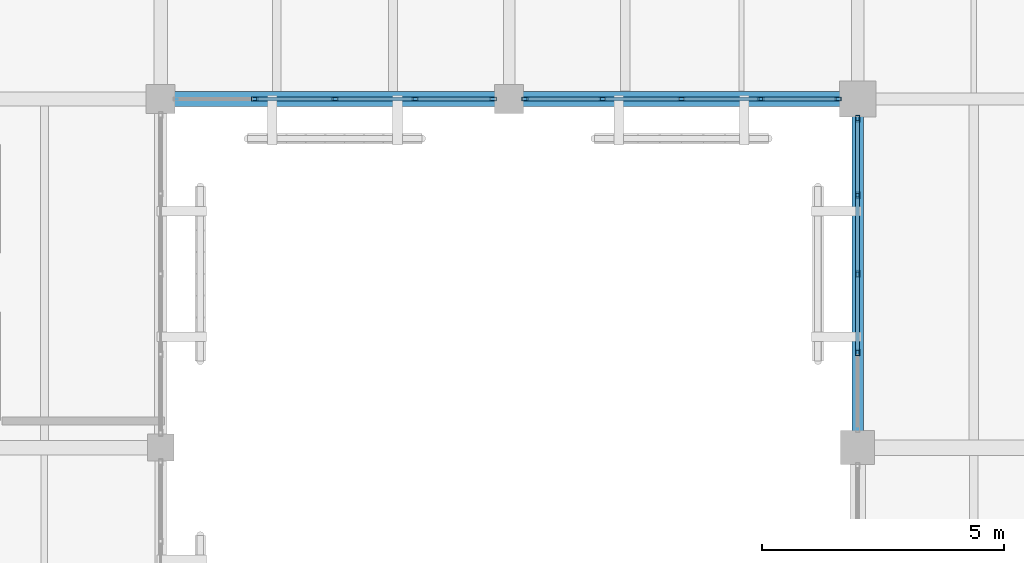
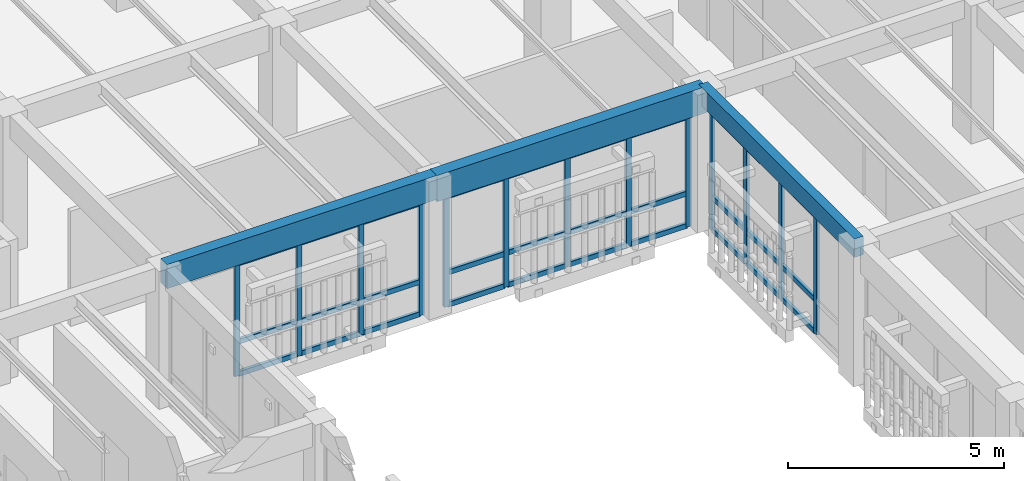
# One storey, part 61 of 170: 43 members, 3 beams, 3 elements without a shape of their own.
"""IFC4 building model written with IfcOpenShell, lengths in metres."""

import ifcopenshell
import ifcopenshell.guid

model = None  # the IFC model being written
_history = None  # IfcOwnerHistory: only IFC2X3 demands one
_inside = {}  # id of a spatial element -> (the spatial element, [elements in it])
_under = {}  # id of a project, library or spatial element -> (it, [spatial elements below it])
_declared = {}  # id of a project -> (the project, [libraries it declares])
_typed = {}  # id of a type object -> (the type object, [elements of that type])
_made_of = {}  # id of a material, layer set ... -> (it, [elements and type objects made of it])


def new_model(schema):
    """Start an empty IFC model of exactly this schema.

    Asked for "IFC4X3", IfcOpenShell would pick the latest addendum, in which some entities
    have other attributes; the version numbers below select the first issue.
    IFC2X3 requires an IfcOwnerHistory on every rooted entity: one is made here for all.
    """
    global model, _history
    if schema == "IFC4X3":
        model = ifcopenshell.file(schema_version=(4, 3, 0, 0))
    else:
        model = ifcopenshell.file(schema=schema)
    _inside.clear()
    _under.clear()
    _declared.clear()
    _typed.clear()
    _made_of.clear()
    _history = None
    if model.schema == "IFC2X3":
        org = make("IfcOrganization", Name="unknown")
        user = make(
            "IfcPersonAndOrganization",
            ThePerson=make("IfcPerson", FamilyName="unknown"),
            TheOrganization=org,
        )
        app = make(
            "IfcApplication",
            ApplicationDeveloper=org,
            Version="unknown",
            ApplicationFullName="unknown",
            ApplicationIdentifier="unknown",
        )
        _history = make(
            "IfcOwnerHistory",
            OwningUser=user,
            OwningApplication=app,
            ChangeAction="ADDED",
            CreationDate=0,
        )
    return model


def make(cls, **values):
    """One entity of the class cls with the attributes given. An attribute that is None is left unset."""
    return model.create_entity(
        cls, **{name: value for name, value in values.items() if value is not None}
    )


def rooted(cls, **values):
    """An entity with a GlobalId (a new one), such as an element, a storey or a relation."""
    return make(cls, GlobalId=ifcopenshell.guid.new(), OwnerHistory=_history, **values)


def si_unit(unit_type, name, prefix=None):
    """IfcSIUnit, for example si_unit("LENGTHUNIT", "METRE", prefix="MILLI")."""
    return make("IfcSIUnit", UnitType=unit_type, Prefix=prefix, Name=name)


def assignment(units):
    """IfcUnitAssignment: the units of a project."""
    return None if units is None else make("IfcUnitAssignment", Units=units)


def point(xyz):
    """IfcCartesianPoint."""
    return None if xyz is None else make("IfcCartesianPoint", Coordinates=xyz)


def direction(xyz):
    """IfcDirection."""
    return None if xyz is None else make("IfcDirection", DirectionRatios=xyz)


def frame(location, z_axis=None, x_axis=None):
    """IfcAxis2Placement3D, a coordinate frame: its origin and axes. An axis left out is left unset."""
    return make(
        "IfcAxis2Placement3D",
        Location=point(location),
        Axis=direction(z_axis),
        RefDirection=direction(x_axis),
    )


def frame_2d(location, x_axis=None):
    """IfcAxis2Placement2D, a coordinate frame in the plane: its origin and x axis."""
    return make(
        "IfcAxis2Placement2D", Location=point(location), RefDirection=direction(x_axis)
    )


def origin():
    """The frame at (0, 0, 0) with its axes left unset."""
    return frame((0.0, 0.0, 0.0))


def origin_2d():
    """The frame at (0, 0) in the plane with its x axis left unset."""
    return frame_2d((0.0, 0.0))


def place(relative_to, where):
    """IfcLocalPlacement: puts the frame where relative to a parent placement (None: the world)."""
    return make(
        "IfcLocalPlacement", PlacementRelTo=relative_to, RelativePlacement=where
    )


def context(
    kind, dimensions, precision=None, world=None, true_north=None, identifier=None
):
    """IfcGeometricRepresentationContext, for example the 3D "Model" context."""
    return make(
        "IfcGeometricRepresentationContext",
        ContextIdentifier=identifier,
        ContextType=kind,
        CoordinateSpaceDimension=dimensions,
        Precision=precision,
        WorldCoordinateSystem=world,
        TrueNorth=true_north,
    )


def subcontext(parent, identifier, kind, view, scale=None):
    """IfcGeometricRepresentationSubContext, for example "Body" below "Model"."""
    return make(
        "IfcGeometricRepresentationSubContext",
        ContextIdentifier=identifier,
        ContextType=kind,
        ParentContext=parent,
        TargetScale=scale,
        TargetView=view,
    )


def project(units=None, contexts=None):
    """IfcProject with its units and contexts."""
    return rooted(
        "IfcProject",
        Name="project",
        RepresentationContexts=contexts,
        UnitsInContext=assignment(units),
    )


def spatial(cls, under=None, at=None, **own):
    """A site, building, storey or space (cls), placed at a placement, below another one or the project."""
    s = rooted(cls, ObjectPlacement=at, **own)
    if under is not None:
        _under.setdefault(under.id(), (under, []))[1].append(s)
    return s


def profile(cls, at=None, kind="AREA", **sizes):
    """A parametric profile (cls). Its sizes go by their IFC names, for example OverallWidth=200.0."""
    return make(cls, ProfileType=kind, Position=at, **sizes)


def rectangle(**sizes):
    """IfcRectangleProfileDef."""
    return profile("IfcRectangleProfileDef", **sizes)


def hollow_rectangle(**sizes):
    """IfcRectangleHollowProfileDef."""
    return profile("IfcRectangleHollowProfileDef", **sizes)


def extrude(swept, where, along, depth):
    """IfcExtrudedAreaSolid: the profile swept, set in the frame where, extruded along a direction by depth."""
    return make(
        "IfcExtrudedAreaSolid",
        SweptArea=swept,
        Position=where,
        ExtrudedDirection=direction(along),
        Depth=depth,
    )


def shape(context_of_items, identifier, shape_type, items):
    """IfcShapeRepresentation: the items that make up one representation, for example the "Body"."""
    return make(
        "IfcShapeRepresentation",
        ContextOfItems=context_of_items,
        RepresentationIdentifier=identifier,
        RepresentationType=shape_type,
        Items=items,
    )


def material(Name=None, Category=None):
    """IfcMaterial."""
    return make("IfcMaterial", Name=Name, Category=Category)


def layer(
    of_material, thickness, ventilated=None, Name=None, Category=None, Priority=None
):
    """IfcMaterialLayer: one layer of a wall or slab, of a material (None: an air gap)."""
    return make(
        "IfcMaterialLayer",
        Material=of_material,
        LayerThickness=thickness,
        IsVentilated=ventilated,
        Name=Name,
        Category=Category,
        Priority=Priority,
    )


def layer_set(layers, Name=None):
    """IfcMaterialLayerSet."""
    return make("IfcMaterialLayerSet", MaterialLayers=layers, LayerSetName=Name)


def material_profile(
    of_material, cross_section, Name=None, Category=None, Priority=None
):
    """IfcMaterialProfile: a cross section and its material."""
    return make(
        "IfcMaterialProfile",
        Name=Name,
        Material=of_material,
        Profile=cross_section,
        Priority=Priority,
        Category=Category,
    )


def profile_set(profiles, Name=None, composite=None):
    """IfcMaterialProfileSet."""
    return make(
        "IfcMaterialProfileSet",
        Name=Name,
        MaterialProfiles=profiles,
        CompositeProfile=composite,
    )


def made_of(thing, what):
    """Note that an element or type object is made of a material, layer set ...; save() writes the relation."""
    if what is not None:
        _made_of.setdefault(what.id(), (what, []))[1].append(thing)
    return thing


def type_object(cls, material=None, **own):
    """A type object (cls), such as IfcWallType, which elements share."""
    return made_of(rooted(cls, **own), material)


def element(
    cls,
    number,
    at=None,
    inside=None,
    cuts=None,
    type_object=None,
    material=None,
    context=None,
    identifier="Body",
    shape_type=None,
    held_by="IfcProductDefinitionShape",
    body=None,
    shapes=None,
    **own,
):
    """One element of the class cls, such as IfcWall. Its Tag is "e" and its number.

    at: its placement. inside: the storey or other place that contains it. cuts: it is an
    opening in that element (IfcRelVoidsElement). A single representation is given by context,
    identifier, shape_type and body (its items); several are given by shapes. held_by: the class
    of the entity that holds the representations. save() writes the other relations.
    """
    e = rooted(cls, Tag="e%d" % number, ObjectPlacement=at, **own)
    if body is not None:
        shapes = [shape(context, identifier, shape_type, body)]
    if shapes is not None:
        e.Representation = make(held_by, Representations=shapes)
    if inside is not None:
        _inside.setdefault(inside.id(), (inside, []))[1].append(e)
    if cuts is not None:
        rooted(
            "IfcRelVoidsElement", RelatingBuildingElement=cuts, RelatedOpeningElement=e
        )
    if type_object is not None:
        _typed.setdefault(type_object.id(), (type_object, []))[1].append(e)
    return made_of(e, material)


def aggregate(whole, parts):
    """IfcRelAggregates: a whole, such as a stair, and the parts it consists of."""
    return rooted("IfcRelAggregates", RelatingObject=whole, RelatedObjects=parts)


def save(model, path):
    """Write the relations noted so far, then the file.

    IfcRelAggregates (storeys below a building ...), IfcRelContainedInSpatialStructure (elements
    in a storey), IfcRelDefinesByType, IfcRelAssociatesMaterial and IfcRelDeclares: one each for
    every whole, place, type object, material and project.
    """
    for whole, parts in _under.values():
        aggregate(whole, parts)
    for where, things in _inside.values():
        rooted(
            "IfcRelContainedInSpatialStructure",
            RelatedElements=things,
            RelatingStructure=where,
        )
    for kind, things in _typed.values():
        rooted("IfcRelDefinesByType", RelatedObjects=things, RelatingType=kind)
    for what, things in _made_of.values():
        rooted("IfcRelAssociatesMaterial", RelatedObjects=things, RelatingMaterial=what)
    for by, libraries in _declared.values():
        rooted("IfcRelDeclares", RelatingContext=by, RelatedDefinitions=libraries)
    model.write(path)


model = new_model("IFC4")

# Units and contexts
model_context = context("Model", 3, precision=1e-05, world=origin(), true_north=direction((0.0, 1.0)))
body_context = subcontext(model_context, "Body", "Model", "MODEL_VIEW")
ifc_project = project(units=[si_unit("LENGTHUNIT", "METRE"), si_unit("AREAUNIT", "SQUARE_METRE"), si_unit("VOLUMEUNIT", "CUBIC_METRE"), si_unit("PLANEANGLEUNIT", "RADIAN"), si_unit("MASSUNIT", "GRAM", prefix="KILO")], contexts=[model_context])

# Site, building, storey
site_placement = place(None, origin())
site = spatial("IfcSite", under=ifc_project, at=site_placement, CompositionType="ELEMENT")
building_placement = place(site_placement, origin())
building = spatial("IfcBuilding", under=site, at=building_placement, Name="Mazaris Harbour Polytechnic", CompositionType="ELEMENT")
storey_placement = place(building_placement, frame((0.0, 0.0, 5.39990234375)))
storey = spatial("IfcBuildingStorey", under=building, at=storey_placement, Name="L01", CompositionType="ELEMENT", Elevation=5.39990234375)

# Curtain wall, members
ifc_material_1 = material(Name="Anodised Bronze Aluminium and Low-E Glass", Category="aluminium")
ifc_layer = layer(ifc_material_1, 0.159912109375, Name="Anodised Bronze Aluminium and Low-E Glass")
ifc_layer_set = layer_set([ifc_layer], Name="Anodised Bronze Aluminium and Low-E Glass")
curtain_wall_type = type_object("IfcCurtainWallType", Name="Cloister Court Curtain Wall", PredefinedType="NOTDEFINED", material=ifc_layer_set)
curtain_wall_1_placement = place(storey_placement, origin())
curtain_wall_1 = element("IfcCurtainWall", 1, at=curtain_wall_1_placement, inside=storey, type_object=curtain_wall_type, Name="V4 L01 Curtain Wall 118", PredefinedType="NOTDEFINED")
ifc_material_2 = material(Name="Anodised Bronze Steel S355", Category="steel")
ifc_material_profile_1 = material_profile(ifc_material_2, hollow_rectangle(XDim=0.080078125, YDim=0.139892578125, WallThickness=0.00634765625, at=origin_2d()), Name="RHS 80x140x6.3")
ifc_profile_set_1 = profile_set([ifc_material_profile_1], Name="Anodised Bronze Steel S355")
member_type_1 = type_object("IfcMemberType", Name="Curtain Mullion RHS80x140", PredefinedType="MULLION", material=ifc_profile_set_1)
member_1_placement = place(storey_placement, frame((21.26806640625, 68.39990234375, 0.0), z_axis=(0.0, 0.0, 1.0), x_axis=(0.0, -1.0, 0.0)))
member_1 = element("IfcMember", 2, at=member_1_placement, type_object=member_type_1, Name="CW-02 mullion 1", PredefinedType="MULLION", context=body_context, shape_type="SweptSolid", body=[
    extrude(hollow_rectangle(XDim=0.080078125, YDim=0.139892578125, WallThickness=0.00634765625, at=origin_2d()), origin(), (0.0, 0.0, 1.0), 3.2001953125),
])
member_2_placement = place(storey_placement, frame((19.654052734375, 68.39990234375, 0.0), z_axis=(0.0, 0.0, 1.0), x_axis=(0.0, -1.0, 0.0)))
member_2 = element("IfcMember", 3, at=member_2_placement, type_object=member_type_1, Name="CW-02 mullion 2", PredefinedType="MULLION", context=body_context, shape_type="SweptSolid", body=[
    extrude(hollow_rectangle(XDim=0.080078125, YDim=0.139892578125, WallThickness=0.00634765625, at=origin_2d()), origin(), (0.0, 0.0, 1.0), 3.2001953125),
])
member_3_placement = place(storey_placement, frame((18.0, 68.39990234375, 0.0), z_axis=(0.0, 0.0, 1.0), x_axis=(0.0, -1.0, 0.0)))
member_3 = element("IfcMember", 4, at=member_3_placement, type_object=member_type_1, Name="CW-02 mullion 3", PredefinedType="MULLION", context=body_context, shape_type="SweptSolid", body=[
    extrude(hollow_rectangle(XDim=0.080078125, YDim=0.139892578125, WallThickness=0.00634765625, at=origin_2d()), origin(), (0.0, 0.0, 1.0), 3.2001953125),
])
member_4_placement = place(storey_placement, frame((16.345947265625, 68.39990234375, 0.0), z_axis=(0.0, 0.0, 1.0), x_axis=(0.0, -1.0, 0.0)))
member_4 = element("IfcMember", 5, at=member_4_placement, type_object=member_type_1, Name="CW-02 mullion 4", PredefinedType="MULLION", context=body_context, shape_type="SweptSolid", body=[
    extrude(hollow_rectangle(XDim=0.080078125, YDim=0.139892578125, WallThickness=0.00634765625, at=origin_2d()), origin(), (0.0, 0.0, 1.0), 3.2001953125),
])

curtain_wall_2_placement = place(storey_placement, origin())
curtain_wall_2 = element("IfcCurtainWall", 6, at=curtain_wall_2_placement, inside=storey, type_object=curtain_wall_type, Name="V4 L01 Curtain Wall 119", PredefinedType="NOTDEFINED")
member_5_placement = place(storey_placement, frame((28.39306640625, 68.39990234375, 0.0), z_axis=(0.0, 0.0, 1.0), x_axis=(0.0, -1.0, 0.0)))
member_5 = element("IfcMember", 7, at=member_5_placement, type_object=member_type_1, Name="CW-02 mullion 1", PredefinedType="MULLION", context=body_context, shape_type="SweptSolid", body=[
    extrude(hollow_rectangle(XDim=0.080078125, YDim=0.139892578125, WallThickness=0.00634765625, at=origin_2d()), origin(), (0.0, 0.0, 1.0), 3.14013671875),
])
member_6_placement = place(storey_placement, frame((26.7978515625, 68.39990234375, 0.0), z_axis=(0.0, 0.0, 1.0), x_axis=(0.0, -1.0, 0.0)))
member_6 = element("IfcMember", 8, at=member_6_placement, type_object=member_type_1, Name="CW-02 mullion 2", PredefinedType="MULLION", context=body_context, shape_type="SweptSolid", body=[
    extrude(hollow_rectangle(XDim=0.080078125, YDim=0.139892578125, WallThickness=0.00634765625, at=origin_2d()), origin(), (0.0, 0.0, 1.0), 3.14013671875),
])
member_7_placement = place(storey_placement, frame((25.16259765625, 68.39990234375, 0.0), z_axis=(0.0, 0.0, 1.0), x_axis=(0.0, -1.0, 0.0)))
member_7 = element("IfcMember", 9, at=member_7_placement, type_object=member_type_1, Name="CW-02 mullion 3", PredefinedType="MULLION", context=body_context, shape_type="SweptSolid", body=[
    extrude(hollow_rectangle(XDim=0.080078125, YDim=0.139892578125, WallThickness=0.00634765625, at=origin_2d()), origin(), (0.0, 0.0, 1.0), 3.14013671875),
])
member_8_placement = place(storey_placement, frame((23.52734375, 68.39990234375, 0.0), z_axis=(0.0, 0.0, 1.0), x_axis=(0.0, -1.0, 0.0)))
member_8 = element("IfcMember", 10, at=member_8_placement, type_object=member_type_1, Name="CW-02 mullion 4", PredefinedType="MULLION", context=body_context, shape_type="SweptSolid", body=[
    extrude(hollow_rectangle(XDim=0.080078125, YDim=0.139892578125, WallThickness=0.00634765625, at=origin_2d()), origin(), (0.0, 0.0, 1.0), 3.14013671875),
])
member_9_placement = place(storey_placement, frame((21.931884765625, 68.39990234375, 0.0), z_axis=(0.0, 0.0, 1.0), x_axis=(0.0, -1.0, 0.0)))
member_9 = element("IfcMember", 11, at=member_9_placement, type_object=member_type_1, Name="CW-02 mullion 5", PredefinedType="MULLION", context=body_context, shape_type="SweptSolid", body=[
    extrude(hollow_rectangle(XDim=0.080078125, YDim=0.139892578125, WallThickness=0.00634765625, at=origin_2d()), origin(), (0.0, 0.0, 1.0), 3.14013671875),
])

curtain_wall_3_placement = place(storey_placement, origin())
curtain_wall_3 = element("IfcCurtainWall", 12, at=curtain_wall_3_placement, inside=storey, type_object=curtain_wall_type, Name="V4 L01 Curtain Wall 127", PredefinedType="NOTDEFINED")
member_10_placement = place(storey_placement, frame((28.800048828125, 67.992919921875, 0.0), z_axis=(0.0, 0.0, 1.0), x_axis=(1.0, 0.0, 0.0)))
member_10 = element("IfcMember", 13, at=member_10_placement, type_object=member_type_1, Name="CW-02 mullion 1", PredefinedType="MULLION", context=body_context, shape_type="SweptSolid", body=[
    extrude(hollow_rectangle(XDim=0.080078125, YDim=0.139892578125, WallThickness=0.00634765625, at=origin_2d()), origin(), (0.0, 0.0, 1.0), 3.360107421875),
])
member_11_placement = place(storey_placement, frame((28.800048828125, 66.41015625, 0.0), z_axis=(0.0, 0.0, 1.0), x_axis=(1.0, 0.0, 0.0)))
member_11 = element("IfcMember", 14, at=member_11_placement, type_object=member_type_1, Name="CW-02 mullion 2", PredefinedType="MULLION", context=body_context, shape_type="SweptSolid", body=[
    extrude(hollow_rectangle(XDim=0.080078125, YDim=0.139892578125, WallThickness=0.00634765625, at=origin_2d()), origin(), (0.0, 0.0, 1.0), 3.360107421875),
])
member_12_placement = place(storey_placement, frame((28.800048828125, 64.78759765625, 0.0), z_axis=(0.0, 0.0, 1.0), x_axis=(1.0, 0.0, 0.0)))
member_12 = element("IfcMember", 15, at=member_12_placement, type_object=member_type_1, Name="CW-02 mullion 3", PredefinedType="MULLION", context=body_context, shape_type="SweptSolid", body=[
    extrude(hollow_rectangle(XDim=0.080078125, YDim=0.139892578125, WallThickness=0.00634765625, at=origin_2d()), origin(), (0.0, 0.0, 1.0), 3.360107421875),
])
member_13_placement = place(storey_placement, frame((28.800048828125, 63.164794921875, 0.0), z_axis=(0.0, 0.0, 1.0), x_axis=(1.0, 0.0, 0.0)))
member_13 = element("IfcMember", 16, at=member_13_placement, type_object=member_type_1, Name="CW-02 mullion 4", PredefinedType="MULLION", context=body_context, shape_type="SweptSolid", body=[
    extrude(hollow_rectangle(XDim=0.080078125, YDim=0.139892578125, WallThickness=0.00634765625, at=origin_2d()), origin(), (0.0, 0.0, 1.0), 3.360107421875),
])

# Member
ifc_material_3 = material(Name="Anodised Bronze Steel S355", Category="steel")
ifc_material_profile_2 = material_profile(ifc_material_3, hollow_rectangle(XDim=0.080078125, YDim=0.139892578125, WallThickness=0.00634765625, at=origin_2d()), Name="RHS 80x140x6.3")
ifc_profile_set_2 = profile_set([ifc_material_profile_2], Name="Anodised Bronze Steel S355")
member_type_2 = type_object("IfcMemberType", Name="Curtain Transom RHS80x140", PredefinedType="USERDEFINED", material=ifc_profile_set_2)
member_14_placement = place(storey_placement, frame((21.22802734375, 68.39990234375, 0.0400390625), z_axis=(-1.0, 0.0, 0.0), x_axis=(0.0, -1.0, 0.0)))
member_14 = element("IfcMember", 17, at=member_14_placement, type_object=member_type_2, Name="CW-02 transom 1.1", ObjectType="TRANSOM", PredefinedType="USERDEFINED", context=body_context, shape_type="SweptSolid", body=[
    extrude(hollow_rectangle(XDim=0.080078125, YDim=0.139892578125, WallThickness=0.00634765625, at=origin_2d()), origin(), (0.0, 0.0, 1.0), 1.533935546875),
])

member_15_placement = place(storey_placement, frame((21.22802734375, 68.39990234375, 0.9501953125), z_axis=(-1.0, 0.0, 0.0), x_axis=(0.0, -1.0, 0.0)))
member_15 = element("IfcMember", 18, at=member_15_placement, type_object=member_type_2, Name="CW-02 transom 1.2", ObjectType="TRANSOM", PredefinedType="USERDEFINED", context=body_context, shape_type="SweptSolid", body=[
    extrude(hollow_rectangle(XDim=0.080078125, YDim=0.139892578125, WallThickness=0.00634765625, at=origin_2d()), origin(), (0.0, 0.0, 1.0), 1.533935546875),
])

member_16_placement = place(storey_placement, frame((21.22802734375, 68.39990234375, 3.16015625), z_axis=(-1.0, 0.0, 0.0), x_axis=(0.0, -1.0, 0.0)))
member_16 = element("IfcMember", 19, at=member_16_placement, type_object=member_type_2, Name="CW-02 transom 1.3", ObjectType="TRANSOM", PredefinedType="USERDEFINED", context=body_context, shape_type="SweptSolid", body=[
    extrude(hollow_rectangle(XDim=0.080078125, YDim=0.139892578125, WallThickness=0.00634765625, at=origin_2d()), origin(), (0.0, 0.0, 1.0), 1.533935546875),
])

member_17_placement = place(storey_placement, frame((19.614013671875, 68.39990234375, 0.0400390625), z_axis=(-1.0, 0.0, 0.0), x_axis=(0.0, -1.0, 0.0)))
member_17 = element("IfcMember", 20, at=member_17_placement, type_object=member_type_2, Name="CW-02 transom 2.1", ObjectType="TRANSOM", PredefinedType="USERDEFINED", context=body_context, shape_type="SweptSolid", body=[
    extrude(hollow_rectangle(XDim=0.080078125, YDim=0.139892578125, WallThickness=0.00634765625, at=origin_2d()), origin(), (0.0, 0.0, 1.0), 1.573974609375),
])

member_18_placement = place(storey_placement, frame((19.614013671875, 68.39990234375, 0.9501953125), z_axis=(-1.0, 0.0, 0.0), x_axis=(0.0, -1.0, 0.0)))
member_18 = element("IfcMember", 21, at=member_18_placement, type_object=member_type_2, Name="CW-02 transom 2.2", ObjectType="TRANSOM", PredefinedType="USERDEFINED", context=body_context, shape_type="SweptSolid", body=[
    extrude(hollow_rectangle(XDim=0.080078125, YDim=0.139892578125, WallThickness=0.00634765625, at=origin_2d()), origin(), (0.0, 0.0, 1.0), 1.573974609375),
])

member_19_placement = place(storey_placement, frame((19.614013671875, 68.39990234375, 3.16015625), z_axis=(-1.0, 0.0, 0.0), x_axis=(0.0, -1.0, 0.0)))
member_19 = element("IfcMember", 22, at=member_19_placement, type_object=member_type_2, Name="CW-02 transom 2.3", ObjectType="TRANSOM", PredefinedType="USERDEFINED", context=body_context, shape_type="SweptSolid", body=[
    extrude(hollow_rectangle(XDim=0.080078125, YDim=0.139892578125, WallThickness=0.00634765625, at=origin_2d()), origin(), (0.0, 0.0, 1.0), 1.573974609375),
])

member_20_placement = place(storey_placement, frame((17.9599609375, 68.39990234375, 0.0400390625), z_axis=(-1.0, 0.0, 0.0), x_axis=(0.0, -1.0, 0.0)))
member_20 = element("IfcMember", 23, at=member_20_placement, type_object=member_type_2, Name="CW-02 transom 3.1", ObjectType="TRANSOM", PredefinedType="USERDEFINED", context=body_context, shape_type="SweptSolid", body=[
    extrude(hollow_rectangle(XDim=0.080078125, YDim=0.139892578125, WallThickness=0.00634765625, at=origin_2d()), origin(), (0.0, 0.0, 1.0), 1.573974609375),
])

member_21_placement = place(storey_placement, frame((17.9599609375, 68.39990234375, 0.9501953125), z_axis=(-1.0, 0.0, 0.0), x_axis=(0.0, -1.0, 0.0)))
member_21 = element("IfcMember", 24, at=member_21_placement, type_object=member_type_2, Name="CW-02 transom 3.2", ObjectType="TRANSOM", PredefinedType="USERDEFINED", context=body_context, shape_type="SweptSolid", body=[
    extrude(hollow_rectangle(XDim=0.080078125, YDim=0.139892578125, WallThickness=0.00634765625, at=origin_2d()), origin(), (0.0, 0.0, 1.0), 1.573974609375),
])

member_22_placement = place(storey_placement, frame((17.9599609375, 68.39990234375, 3.16015625), z_axis=(-1.0, 0.0, 0.0), x_axis=(0.0, -1.0, 0.0)))
member_22 = element("IfcMember", 25, at=member_22_placement, type_object=member_type_2, Name="CW-02 transom 3.3", ObjectType="TRANSOM", PredefinedType="USERDEFINED", context=body_context, shape_type="SweptSolid", body=[
    extrude(hollow_rectangle(XDim=0.080078125, YDim=0.139892578125, WallThickness=0.00634765625, at=origin_2d()), origin(), (0.0, 0.0, 1.0), 1.573974609375),
])

aggregate(curtain_wall_1, [member_1, member_2, member_3, member_4, member_14, member_15, member_16, member_17, member_18, member_19, member_20, member_21, member_22])

member_23_placement = place(storey_placement, frame((28.35302734375, 68.39990234375, 0.0400390625), z_axis=(-1.0, 0.0, 0.0), x_axis=(0.0, -1.0, 0.0)))
member_23 = element("IfcMember", 26, at=member_23_placement, type_object=member_type_2, Name="CW-02 transom 1.1", ObjectType="TRANSOM", PredefinedType="USERDEFINED", context=body_context, shape_type="SweptSolid", body=[
    extrude(hollow_rectangle(XDim=0.080078125, YDim=0.139892578125, WallThickness=0.00634765625, at=origin_2d()), origin(), (0.0, 0.0, 1.0), 1.515380859375),
])

member_24_placement = place(storey_placement, frame((28.35302734375, 68.39990234375, 0.9501953125), z_axis=(-1.0, 0.0, 0.0), x_axis=(0.0, -1.0, 0.0)))
member_24 = element("IfcMember", 27, at=member_24_placement, type_object=member_type_2, Name="CW-02 transom 1.2", ObjectType="TRANSOM", PredefinedType="USERDEFINED", context=body_context, shape_type="SweptSolid", body=[
    extrude(hollow_rectangle(XDim=0.080078125, YDim=0.139892578125, WallThickness=0.00634765625, at=origin_2d()), origin(), (0.0, 0.0, 1.0), 1.515380859375),
])

member_25_placement = place(storey_placement, frame((28.35302734375, 68.39990234375, 3.10009765625), z_axis=(-1.0, 0.0, 0.0), x_axis=(0.0, -1.0, 0.0)))
member_25 = element("IfcMember", 28, at=member_25_placement, type_object=member_type_2, Name="CW-02 transom 1.3", ObjectType="TRANSOM", PredefinedType="USERDEFINED", context=body_context, shape_type="SweptSolid", body=[
    extrude(hollow_rectangle(XDim=0.080078125, YDim=0.139892578125, WallThickness=0.00634765625, at=origin_2d()), origin(), (0.0, 0.0, 1.0), 1.515380859375),
])

member_26_placement = place(storey_placement, frame((26.7578125, 68.39990234375, 0.0400390625), z_axis=(-1.0, 0.0, 0.0), x_axis=(0.0, -1.0, 0.0)))
member_26 = element("IfcMember", 29, at=member_26_placement, type_object=member_type_2, Name="CW-02 transom 2.1", ObjectType="TRANSOM", PredefinedType="USERDEFINED", context=body_context, shape_type="SweptSolid", body=[
    extrude(hollow_rectangle(XDim=0.080078125, YDim=0.139892578125, WallThickness=0.00634765625, at=origin_2d()), origin(), (0.0, 0.0, 1.0), 1.555419921875),
])

member_27_placement = place(storey_placement, frame((26.7578125, 68.39990234375, 0.9501953125), z_axis=(-1.0, 0.0, 0.0), x_axis=(0.0, -1.0, 0.0)))
member_27 = element("IfcMember", 30, at=member_27_placement, type_object=member_type_2, Name="CW-02 transom 2.2", ObjectType="TRANSOM", PredefinedType="USERDEFINED", context=body_context, shape_type="SweptSolid", body=[
    extrude(hollow_rectangle(XDim=0.080078125, YDim=0.139892578125, WallThickness=0.00634765625, at=origin_2d()), origin(), (0.0, 0.0, 1.0), 1.555419921875),
])

member_28_placement = place(storey_placement, frame((26.7578125, 68.39990234375, 3.10009765625), z_axis=(-1.0, 0.0, 0.0), x_axis=(0.0, -1.0, 0.0)))
member_28 = element("IfcMember", 31, at=member_28_placement, type_object=member_type_2, Name="CW-02 transom 2.3", ObjectType="TRANSOM", PredefinedType="USERDEFINED", context=body_context, shape_type="SweptSolid", body=[
    extrude(hollow_rectangle(XDim=0.080078125, YDim=0.139892578125, WallThickness=0.00634765625, at=origin_2d()), origin(), (0.0, 0.0, 1.0), 1.555419921875),
])

member_29_placement = place(storey_placement, frame((25.12255859375, 68.39990234375, 0.0400390625), z_axis=(-1.0, 0.0, 0.0), x_axis=(0.0, -1.0, 0.0)))
member_29 = element("IfcMember", 32, at=member_29_placement, type_object=member_type_2, Name="CW-02 transom 3.1", ObjectType="TRANSOM", PredefinedType="USERDEFINED", context=body_context, shape_type="SweptSolid", body=[
    extrude(hollow_rectangle(XDim=0.080078125, YDim=0.139892578125, WallThickness=0.00634765625, at=origin_2d()), origin(), (0.0, 0.0, 1.0), 1.555419921875),
])

member_30_placement = place(storey_placement, frame((25.12255859375, 68.39990234375, 0.9501953125), z_axis=(-1.0, 0.0, 0.0), x_axis=(0.0, -1.0, 0.0)))
member_30 = element("IfcMember", 33, at=member_30_placement, type_object=member_type_2, Name="CW-02 transom 3.2", ObjectType="TRANSOM", PredefinedType="USERDEFINED", context=body_context, shape_type="SweptSolid", body=[
    extrude(hollow_rectangle(XDim=0.080078125, YDim=0.139892578125, WallThickness=0.00634765625, at=origin_2d()), origin(), (0.0, 0.0, 1.0), 1.555419921875),
])

member_31_placement = place(storey_placement, frame((25.12255859375, 68.39990234375, 3.10009765625), z_axis=(-1.0, 0.0, 0.0), x_axis=(0.0, -1.0, 0.0)))
member_31 = element("IfcMember", 34, at=member_31_placement, type_object=member_type_2, Name="CW-02 transom 3.3", ObjectType="TRANSOM", PredefinedType="USERDEFINED", context=body_context, shape_type="SweptSolid", body=[
    extrude(hollow_rectangle(XDim=0.080078125, YDim=0.139892578125, WallThickness=0.00634765625, at=origin_2d()), origin(), (0.0, 0.0, 1.0), 1.555419921875),
])

member_32_placement = place(storey_placement, frame((23.4873046875, 68.39990234375, 0.0400390625), z_axis=(-1.0, 0.0, 0.0), x_axis=(0.0, -1.0, 0.0)))
member_32 = element("IfcMember", 35, at=member_32_placement, type_object=member_type_2, Name="CW-02 transom 4.1", ObjectType="TRANSOM", PredefinedType="USERDEFINED", context=body_context, shape_type="SweptSolid", body=[
    extrude(hollow_rectangle(XDim=0.080078125, YDim=0.139892578125, WallThickness=0.00634765625, at=origin_2d()), origin(), (0.0, 0.0, 1.0), 1.515380859375),
])

member_33_placement = place(storey_placement, frame((23.4873046875, 68.39990234375, 0.9501953125), z_axis=(-1.0, 0.0, 0.0), x_axis=(0.0, -1.0, 0.0)))
member_33 = element("IfcMember", 36, at=member_33_placement, type_object=member_type_2, Name="CW-02 transom 4.2", ObjectType="TRANSOM", PredefinedType="USERDEFINED", context=body_context, shape_type="SweptSolid", body=[
    extrude(hollow_rectangle(XDim=0.080078125, YDim=0.139892578125, WallThickness=0.00634765625, at=origin_2d()), origin(), (0.0, 0.0, 1.0), 1.515380859375),
])

member_34_placement = place(storey_placement, frame((23.4873046875, 68.39990234375, 3.10009765625), z_axis=(-1.0, 0.0, 0.0), x_axis=(0.0, -1.0, 0.0)))
member_34 = element("IfcMember", 37, at=member_34_placement, type_object=member_type_2, Name="CW-02 transom 4.3", ObjectType="TRANSOM", PredefinedType="USERDEFINED", context=body_context, shape_type="SweptSolid", body=[
    extrude(hollow_rectangle(XDim=0.080078125, YDim=0.139892578125, WallThickness=0.00634765625, at=origin_2d()), origin(), (0.0, 0.0, 1.0), 1.515380859375),
])

aggregate(curtain_wall_2, [member_5, member_6, member_7, member_8, member_9, member_23, member_24, member_25, member_26, member_27, member_28, member_29, member_30, member_31, member_32, member_33, member_34])

member_35_placement = place(storey_placement, frame((28.800048828125, 67.952880859375, 0.0400390625), z_axis=(0.0, -1.0, 0.0), x_axis=(1.0, 0.0, 0.0)))
member_35 = element("IfcMember", 38, at=member_35_placement, type_object=member_type_2, Name="CW-02 transom 1.1", ObjectType="TRANSOM", PredefinedType="USERDEFINED", context=body_context, shape_type="SweptSolid", body=[
    extrude(hollow_rectangle(XDim=0.080078125, YDim=0.139892578125, WallThickness=0.00634765625, at=origin_2d()), origin(), (0.0, 0.0, 1.0), 1.502685546875),
])

member_36_placement = place(storey_placement, frame((28.800048828125, 67.952880859375, 0.9501953125), z_axis=(0.0, -1.0, 0.0), x_axis=(1.0, 0.0, 0.0)))
member_36 = element("IfcMember", 39, at=member_36_placement, type_object=member_type_2, Name="CW-02 transom 1.2", ObjectType="TRANSOM", PredefinedType="USERDEFINED", context=body_context, shape_type="SweptSolid", body=[
    extrude(hollow_rectangle(XDim=0.080078125, YDim=0.139892578125, WallThickness=0.00634765625, at=origin_2d()), origin(), (0.0, 0.0, 1.0), 1.502685546875),
])

member_37_placement = place(storey_placement, frame((28.800048828125, 67.952880859375, 3.320068359375), z_axis=(0.0, -1.0, 0.0), x_axis=(1.0, 0.0, 0.0)))
member_37 = element("IfcMember", 40, at=member_37_placement, type_object=member_type_2, Name="CW-02 transom 1.3", ObjectType="TRANSOM", PredefinedType="USERDEFINED", context=body_context, shape_type="SweptSolid", body=[
    extrude(hollow_rectangle(XDim=0.080078125, YDim=0.139892578125, WallThickness=0.00634765625, at=origin_2d()), origin(), (0.0, 0.0, 1.0), 1.502685546875),
])

member_38_placement = place(storey_placement, frame((28.800048828125, 66.370361328125, 0.0400390625), z_axis=(0.0, -1.0, 0.0), x_axis=(1.0, 0.0, 0.0)))
member_38 = element("IfcMember", 41, at=member_38_placement, type_object=member_type_2, Name="CW-02 transom 2.1", ObjectType="TRANSOM", PredefinedType="USERDEFINED", context=body_context, shape_type="SweptSolid", body=[
    extrude(hollow_rectangle(XDim=0.080078125, YDim=0.139892578125, WallThickness=0.00634765625, at=origin_2d()), origin(), (0.0, 0.0, 1.0), 1.54296875),
])

member_39_placement = place(storey_placement, frame((28.800048828125, 66.370361328125, 0.9501953125), z_axis=(0.0, -1.0, 0.0), x_axis=(1.0, 0.0, 0.0)))
member_39 = element("IfcMember", 42, at=member_39_placement, type_object=member_type_2, Name="CW-02 transom 2.2", ObjectType="TRANSOM", PredefinedType="USERDEFINED", context=body_context, shape_type="SweptSolid", body=[
    extrude(hollow_rectangle(XDim=0.080078125, YDim=0.139892578125, WallThickness=0.00634765625, at=origin_2d()), origin(), (0.0, 0.0, 1.0), 1.54296875),
])

member_40_placement = place(storey_placement, frame((28.800048828125, 66.370361328125, 3.320068359375), z_axis=(0.0, -1.0, 0.0), x_axis=(1.0, 0.0, 0.0)))
member_40 = element("IfcMember", 43, at=member_40_placement, type_object=member_type_2, Name="CW-02 transom 2.3", ObjectType="TRANSOM", PredefinedType="USERDEFINED", context=body_context, shape_type="SweptSolid", body=[
    extrude(hollow_rectangle(XDim=0.080078125, YDim=0.139892578125, WallThickness=0.00634765625, at=origin_2d()), origin(), (0.0, 0.0, 1.0), 1.54296875),
])

member_41_placement = place(storey_placement, frame((28.800048828125, 64.74755859375, 0.0400390625), z_axis=(0.0, -1.0, 0.0), x_axis=(1.0, 0.0, 0.0)))
member_41 = element("IfcMember", 44, at=member_41_placement, type_object=member_type_2, Name="CW-02 transom 3.1", ObjectType="TRANSOM", PredefinedType="USERDEFINED", context=body_context, shape_type="SweptSolid", body=[
    extrude(hollow_rectangle(XDim=0.080078125, YDim=0.139892578125, WallThickness=0.00634765625, at=origin_2d()), origin(), (0.0, 0.0, 1.0), 1.542724609375),
])

member_42_placement = place(storey_placement, frame((28.800048828125, 64.74755859375, 0.9501953125), z_axis=(0.0, -1.0, 0.0), x_axis=(1.0, 0.0, 0.0)))
member_42 = element("IfcMember", 45, at=member_42_placement, type_object=member_type_2, Name="CW-02 transom 3.2", ObjectType="TRANSOM", PredefinedType="USERDEFINED", context=body_context, shape_type="SweptSolid", body=[
    extrude(hollow_rectangle(XDim=0.080078125, YDim=0.139892578125, WallThickness=0.00634765625, at=origin_2d()), origin(), (0.0, 0.0, 1.0), 1.542724609375),
])

member_43_placement = place(storey_placement, frame((28.800048828125, 64.74755859375, 3.320068359375), z_axis=(0.0, -1.0, 0.0), x_axis=(1.0, 0.0, 0.0)))
member_43 = element("IfcMember", 46, at=member_43_placement, type_object=member_type_2, Name="CW-02 transom 3.3", ObjectType="TRANSOM", PredefinedType="USERDEFINED", context=body_context, shape_type="SweptSolid", body=[
    extrude(hollow_rectangle(XDim=0.080078125, YDim=0.139892578125, WallThickness=0.00634765625, at=origin_2d()), origin(), (0.0, 0.0, 1.0), 1.542724609375),
])

aggregate(curtain_wall_3, [member_10, member_11, member_12, member_13, member_35, member_36, member_37, member_38, member_39, member_40, member_41, member_42, member_43])

# Beams
ifc_material_4 = material(Name="Glulam GL32h", Category="wood")
ifc_material_profile_3 = material_profile(ifc_material_4, rectangle(XDim=0.239990234375, YDim=0.52001953125, at=origin_2d()), Name="RECT240x520")
ifc_profile_set_3 = profile_set([ifc_material_profile_3], Name="Glulam GL32h")
beam_type_1 = type_object("IfcBeamType", Name="Glulam Girder 240x520", PredefinedType="BEAM", material=ifc_profile_set_3)
beam_1_placement = place(storey_placement, frame((28.800048828125, 61.199951171875, 3.630126953125), z_axis=(0.0, 1.0, 0.0), x_axis=(-1.0, 0.0, 0.0)))
element("IfcBeam", 47, at=beam_1_placement, inside=storey, type_object=beam_type_1, Name="V4 L01 Tie Girder 1745", PredefinedType="BEAM", context=body_context, shape_type="SweptSolid", body=[
    extrude(rectangle(XDim=0.239990234375, YDim=0.52001953125, at=origin_2d()), origin(), (0.0, 0.0, 1.0), 7.199951171875),
])
ifc_material_5 = material(Name="Glulam GL32h", Category="wood")
ifc_material_profile_4 = material_profile(ifc_material_5, rectangle(XDim=0.300048828125, YDim=0.679931640625, at=origin_2d()), Name="RECT300x680")
ifc_profile_set_4 = profile_set([ifc_material_profile_4], Name="Glulam GL32h")
beam_type_2 = type_object("IfcBeamType", Name="Glulam Girder 300x680", PredefinedType="BEAM", material=ifc_profile_set_4)
beam_2_placement = place(storey_placement, frame((14.39990234375, 68.39990234375, 3.550048828125), z_axis=(1.0, 0.0, 0.0), x_axis=(0.0, 1.0, 0.0)))
element("IfcBeam", 48, at=beam_2_placement, inside=storey, type_object=beam_type_2, Name="V4 L01 Girder 1668", PredefinedType="BEAM", context=body_context, shape_type="SweptSolid", body=[
    extrude(rectangle(XDim=0.300048828125, YDim=0.679931640625, at=origin_2d()), origin(), (0.0, 0.0, 1.0), 7.2001953125),
])
ifc_material_6 = material(Name="Glulam GL32h", Category="wood")
ifc_material_profile_5 = material_profile(ifc_material_6, rectangle(XDim=0.320068359375, YDim=0.739990234375, at=origin_2d()), Name="RECT320x740")
ifc_profile_set_5 = profile_set([ifc_material_profile_5], Name="Glulam GL32h")
beam_type_3 = type_object("IfcBeamType", Name="Glulam Girder 320x740", PredefinedType="BEAM", material=ifc_profile_set_5)
beam_3_placement = place(storey_placement, frame((21.60009765625, 68.39990234375, 3.52001953125), z_axis=(1.0, 0.0, 0.0), x_axis=(0.0, 1.0, 0.0)))
element("IfcBeam", 49, at=beam_3_placement, inside=storey, type_object=beam_type_3, Name="V4 L01 Girder 1669", PredefinedType="BEAM", context=body_context, shape_type="SweptSolid", body=[
    extrude(rectangle(XDim=0.320068359375, YDim=0.739990234375, at=origin_2d()), origin(), (0.0, 0.0, 1.0), 7.199951171875),
])

save(model, "model.ifc")
